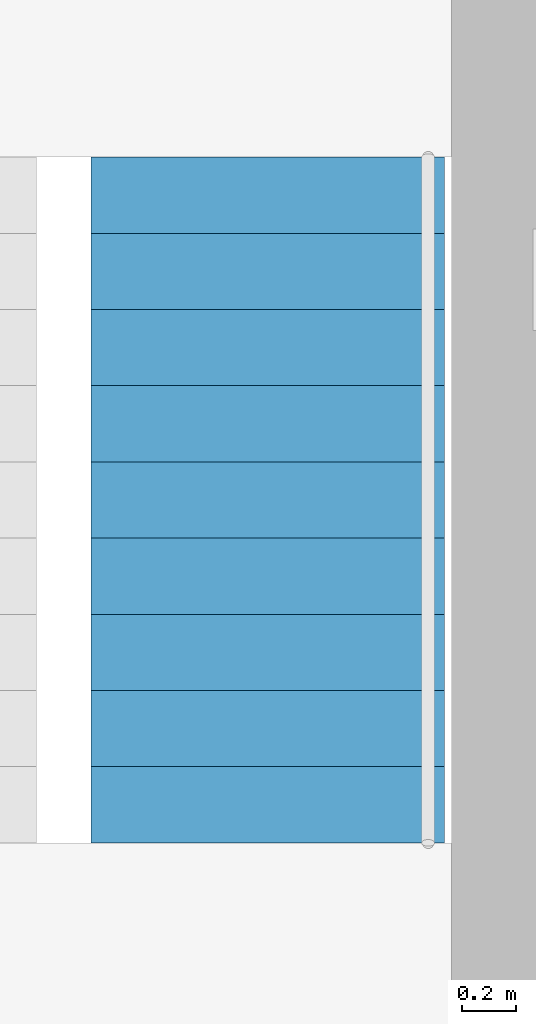
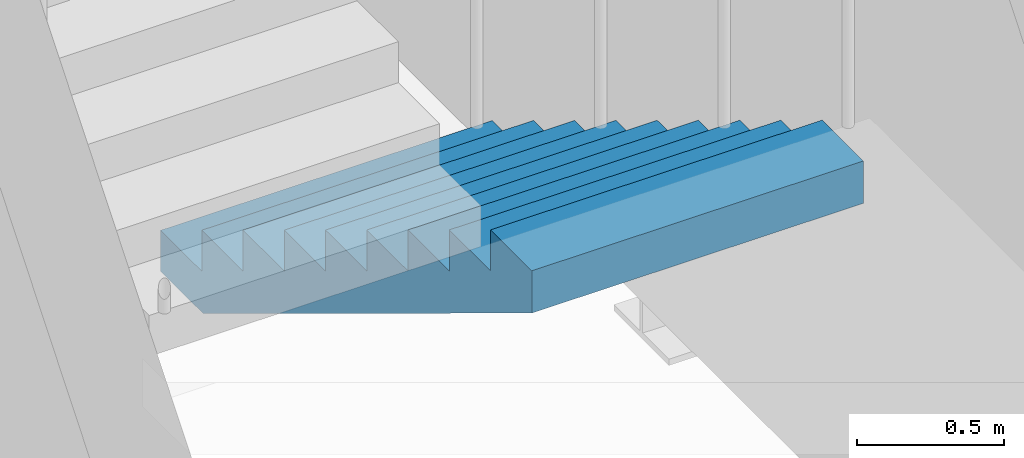
# One storey, part 14 of 17: 1 stair flight, 1 element without a shape of its own.
"""IFC4 building model written with IfcOpenShell, lengths in metres."""

from ifc_helpers import new_model, si_unit, direction, frame, origin, place, context, subcontext, project, spatial, polyline, outline, extrude, material, type_object, element, aggregate, save


model = new_model("IFC4")

# Units and contexts
model_context = context("Model", 3, precision=1e-05, world=origin(), true_north=direction((0.0, 1.0)))
body_context = subcontext(model_context, "Body", "Model", "MODEL_VIEW")
ifc_project = project(units=[si_unit("LENGTHUNIT", "METRE"), si_unit("AREAUNIT", "SQUARE_METRE"), si_unit("VOLUMEUNIT", "CUBIC_METRE"), si_unit("PLANEANGLEUNIT", "RADIAN"), si_unit("MASSUNIT", "GRAM", prefix="KILO")], contexts=[model_context])

# Site, building, storey
site_placement = place(None, origin())
site = spatial("IfcSite", under=ifc_project, at=site_placement, CompositionType="ELEMENT")
building_placement = place(site_placement, origin())
building = spatial("IfcBuilding", under=site, at=building_placement, Name="Loomwork Tower", CompositionType="ELEMENT")
storey_placement = place(building_placement, frame((0.0, 0.0, 141.800048828125)))
storey = spatial("IfcBuildingStorey", under=building, at=storey_placement, Name="L38", CompositionType="ELEMENT", Elevation=141.800048828125)

# Stair, stair flight
ifc_material_1 = material(Name="Concrete 5000 psi (34 MPa) precast stair", Category="concrete")
stair_type = type_object("IfcStairType", Name="Stair ST-B 20 risers 2850 wide", PredefinedType="HALF_TURN_STAIR", material=ifc_material_1)
stair_placement = place(storey_placement, origin())
stair = element("IfcStair", 1, at=stair_placement, inside=storey, type_object=stair_type, Name="Stair B L38", PredefinedType="HALF_TURN_STAIR")
ifc_material_2 = material(Name="Concrete 5000 psi (34 MPa) precast stair", Category="concrete")
stair_flight_type = type_object("IfcStairFlightType", Name="Stair flight ST-B 10 risers 1300 wide", PredefinedType="STRAIGHT", material=ifc_material_2)
stair_flight_placement = place(storey_placement, frame((32.925048828125, 18.449951171875, 0.0), z_axis=(0.0, 0.0, 1.0), x_axis=(0.0, -1.0, 0.0)))
stair_flight = element("IfcStairFlight", 2, at=stair_flight_placement, type_object=stair_flight_type, Name="ST-B flight 1", NumberOfRisers=10, NumberOfTreads=9, PredefinedType="STRAIGHT", RiserHeight=0.17, TreadLength=0.28, context=body_context, shape_type="SweptSolid", body=[
    extrude(outline(polyline([(0.0, 0.0), (0.0, 0.169921875), (0.280029296875, 0.169921875), (0.280029296875, 0.340087890625), (0.56005859375, 0.340087890625), (0.56005859375, 0.510009765625), (0.840087890625, 0.510009765625), (0.840087890625, 0.679931640625), (1.1201171875, 0.679931640625), (1.1201171875, 0.85009765625), (1.39990234375, 0.85009765625), (1.39990234375, 1.02001953125), (1.679931640625, 1.02001953125), (1.679931640625, 1.18994140625), (1.9599609375, 1.18994140625), (1.9599609375, 1.360107421875), (2.239990234375, 1.360107421875), (2.239990234375, 1.530029296875), (2.52001953125, 1.530029296875), (2.52001953125, 1.699951171875), (2.52001953125, 1.354736328125), (0.288818359375, 0.0), (0.0, 0.0)])), frame((0.0, 0.64990234375, 0.0), z_axis=(0.0, -1.0, 0.0), x_axis=(1.0, 0.0, 0.0)), (0.0, 0.0, 1.0), 1.300048828125),
])
aggregate(stair, [stair_flight])

save(model, "model.ifc")
